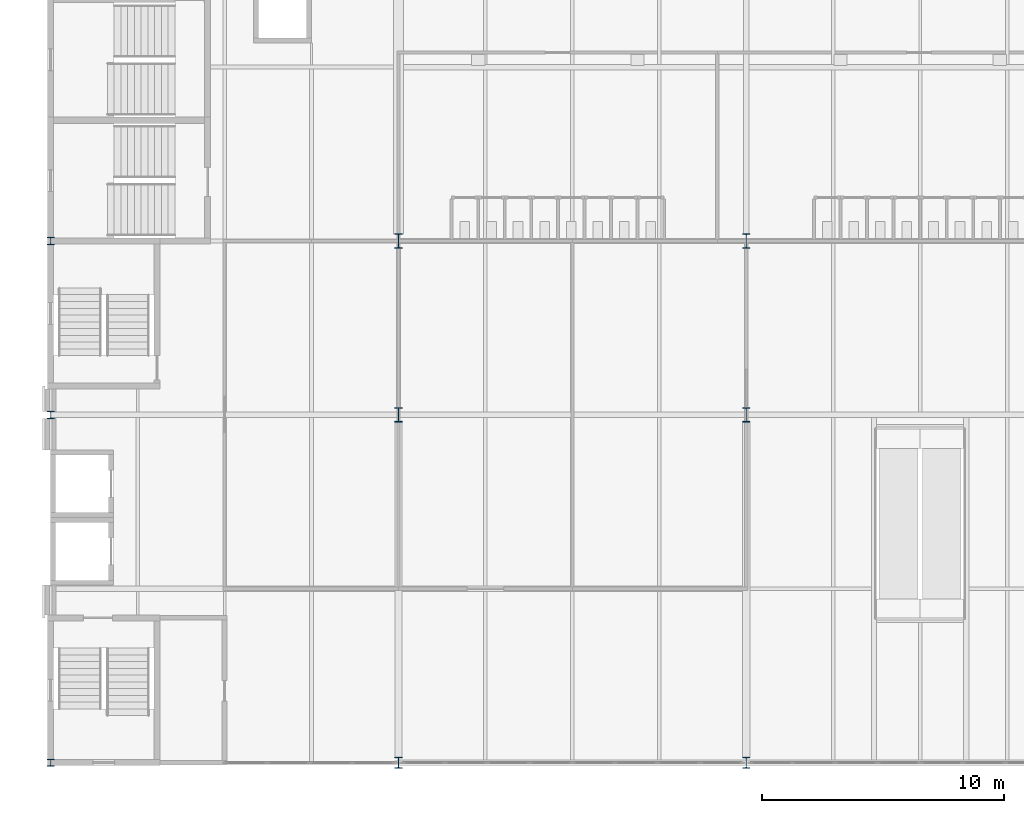
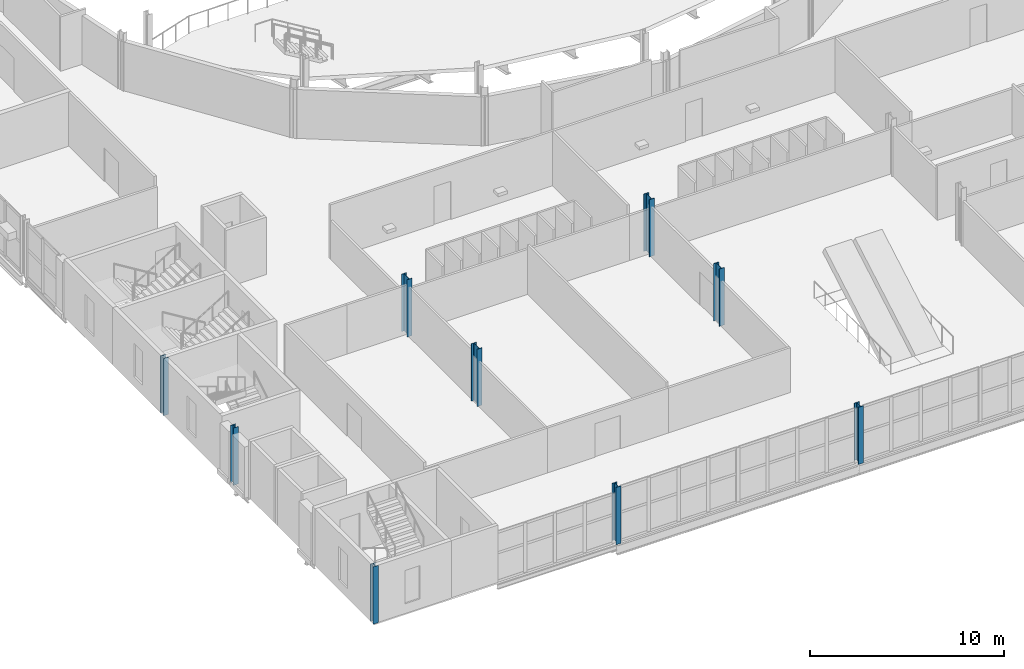
# One storey, part 1 of 124: 9 columns.
"""IFC4 building model written with IfcOpenShell, lengths in metres."""

from ifc_helpers import new_model, si_unit, direction, frame, origin, origin_2d, place, context, subcontext, project, spatial, i_section, extrude, material, material_profile, profile_set, type_object, element, save


model = new_model("IFC4")

# Units and contexts
model_context = context("Model", 3, precision=1e-05, world=origin(), true_north=direction((0.0, 1.0)))
body_context = subcontext(model_context, "Body", "Model", "MODEL_VIEW")
ifc_project = project(units=[si_unit("LENGTHUNIT", "METRE"), si_unit("AREAUNIT", "SQUARE_METRE"), si_unit("VOLUMEUNIT", "CUBIC_METRE"), si_unit("PLANEANGLEUNIT", "RADIAN"), si_unit("MASSUNIT", "GRAM", prefix="KILO")], contexts=[model_context])

# Site, building, storey
site_placement = place(None, origin())
site = spatial("IfcSite", under=ifc_project, at=site_placement, CompositionType="ELEMENT")
building_placement = place(site_placement, origin())
building = spatial("IfcBuilding", under=site, at=building_placement, Name="Kupolbacken Congress Centre", CompositionType="ELEMENT")
storey_placement = place(building_placement, frame((0.0, 0.0, 10.800048828125)))
storey = spatial("IfcBuildingStorey", under=building, at=storey_placement, Name="L03", CompositionType="ELEMENT", Elevation=10.800048828125)

# Columns
ifc_material_1 = material(Name="Steel S355", Category="steel")
ifc_material_profile_1 = material_profile(ifc_material_1, i_section(OverallWidth=0.300048828125, OverallDepth=0.449951171875, WebThickness=0.013916015625, FlangeThickness=0.02587890625, FilletRadius=0.027099609375, at=origin_2d()), Name="HEB 450")
ifc_profile_set_1 = profile_set([ifc_material_profile_1], Name="Steel S355")
column_type_1 = type_object("IfcColumnType", Name="C03 column HEB 450", PredefinedType="COLUMN", material=ifc_profile_set_1)
for number, where, z_axis, x_axis, name in (
    (1, (21.60009765625, 28.800048828125, 0.0), (0.0, 0.0, 1.0), (1.0, 0.0, 0.0), "S/col/C-F-4E/L03"),
    (2, (36.0, 28.800048828125, 0.0), (0.0, 0.0, 1.0), (1.0, 0.0, 0.0), "S/col/C-F-6E/L03"),
):
    element("IfcColumn", number, at=place(storey_placement, frame(where, z_axis=z_axis, x_axis=x_axis)), inside=storey, type_object=column_type_1, Name=name, PredefinedType="COLUMN", context=body_context, shape_type="SweptSolid", body=[
        extrude(i_section(OverallWidth=0.300048828125, OverallDepth=0.449951171875, WebThickness=0.013916015625, FlangeThickness=0.02587890625, FilletRadius=0.027099609375, at=origin_2d()), origin(), (0.0, 0.0, 1.0), 3.599853515625),
    ])
ifc_material_2 = material(Name="Steel S355", Category="steel")
ifc_material_profile_2 = material_profile(ifc_material_2, i_section(OverallWidth=0.300048828125, OverallDepth=0.60009765625, WebThickness=0.015380859375, FlangeThickness=0.030029296875, FilletRadius=0.027099609375, at=origin_2d()), Name="HEB 600")
ifc_profile_set_2 = profile_set([ifc_material_profile_2], Name="Steel S355")
column_type_2 = type_object("IfcColumnType", Name="C05 column HEB 600", PredefinedType="COLUMN", material=ifc_profile_set_2)
for number, where, z_axis, x_axis, name in (
    (3, (21.60009765625, 43.199951171875, 0.0), (0.0, 0.0, 1.0), (1.0, 0.0, 0.0), "S/col/C-F-4G/L03"),
    (4, (21.60009765625, 50.39990234375, 0.0), (0.0, 0.0, 1.0), (1.0, 0.0, 0.0), "S/col/C-F-4H/L03"),
    (5, (36.0, 43.199951171875, 0.0), (0.0, 0.0, 1.0), (1.0, 0.0, 0.0), "S/col/C-F-6G/L03"),
    (6, (36.0, 50.39990234375, 0.0), (0.0, 0.0, 1.0), (1.0, 0.0, 0.0), "S/col/C-F-6H/L03"),
):
    element("IfcColumn", number, at=place(storey_placement, frame(where, z_axis=z_axis, x_axis=x_axis)), inside=storey, type_object=column_type_2, Name=name, PredefinedType="COLUMN", context=body_context, shape_type="SweptSolid", body=[
        extrude(i_section(OverallWidth=0.300048828125, OverallDepth=0.60009765625, WebThickness=0.015380859375, FlangeThickness=0.030029296875, FilletRadius=0.027099609375, at=origin_2d()), origin(), (0.0, 0.0, 1.0), 3.599853515625),
    ])
ifc_material_3 = material(Name="Steel S355", Category="steel")
ifc_material_profile_3 = material_profile(ifc_material_3, i_section(OverallWidth=0.300048828125, OverallDepth=0.300048828125, WebThickness=0.010986328125, FlangeThickness=0.01904296875, FilletRadius=0.027099609375, at=origin_2d()), Name="HEB 300")
ifc_profile_set_3 = profile_set([ifc_material_profile_3], Name="Steel S355")
column_type_3 = type_object("IfcColumnType", Name="C06 column HEB 300", PredefinedType="COLUMN", material=ifc_profile_set_3)
for number, where, z_axis, x_axis, name in (
    (7, (7.199951171875, 28.800048828125, 0.0), (0.0, 0.0, 1.0), (1.0, 0.0, 0.0), "S/col/C-F-2E/L03"),
    (8, (7.199951171875, 43.199951171875, 0.0), (0.0, 0.0, 1.0), (1.0, 0.0, 0.0), "S/col/C-F-2G/L03"),
    (9, (7.199951171875, 50.39990234375, 0.0), (0.0, 0.0, 1.0), (1.0, 0.0, 0.0), "S/col/C-F-2H/L03"),
):
    element("IfcColumn", number, at=place(storey_placement, frame(where, z_axis=z_axis, x_axis=x_axis)), inside=storey, type_object=column_type_3, Name=name, PredefinedType="COLUMN", context=body_context, shape_type="SweptSolid", body=[
        extrude(i_section(OverallWidth=0.300048828125, OverallDepth=0.300048828125, WebThickness=0.010986328125, FlangeThickness=0.01904296875, FilletRadius=0.027099609375, at=origin_2d()), origin(), (0.0, 0.0, 1.0), 3.599853515625),
    ])

save(model, "model.ifc")
